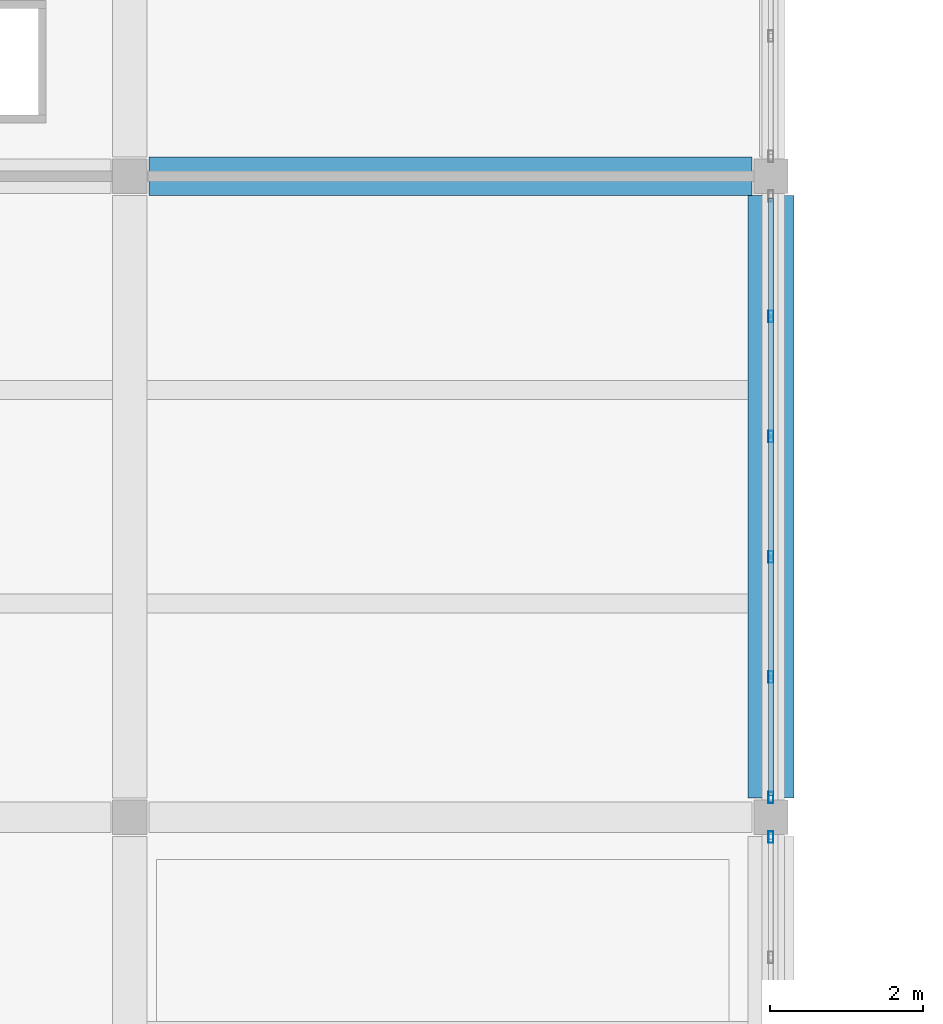
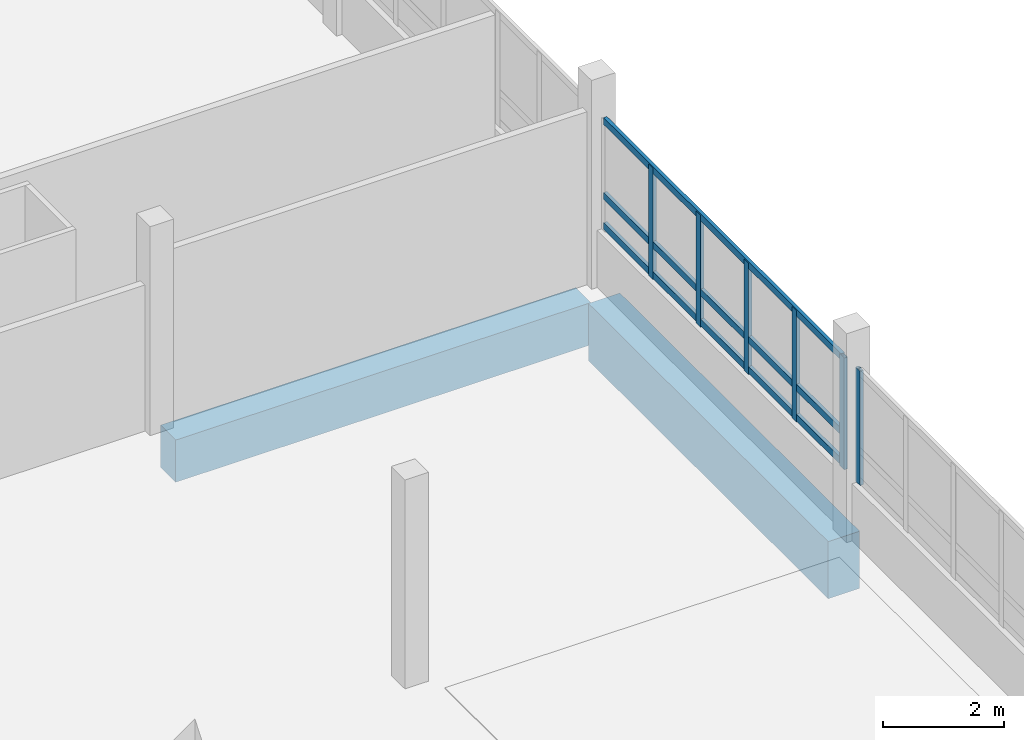
# One storey, part 8 of 62: 9 members, 2 beams, 2 elements without a shape of their own.
"""IFC4 building model written with IfcOpenShell, lengths in metres."""

import ifcopenshell
import ifcopenshell.guid

model = None  # the IFC model being written
_history = None  # IfcOwnerHistory: only IFC2X3 demands one
_inside = {}  # id of a spatial element -> (the spatial element, [elements in it])
_under = {}  # id of a project, library or spatial element -> (it, [spatial elements below it])
_declared = {}  # id of a project -> (the project, [libraries it declares])
_typed = {}  # id of a type object -> (the type object, [elements of that type])
_made_of = {}  # id of a material, layer set ... -> (it, [elements and type objects made of it])


def new_model(schema):
    """Start an empty IFC model of exactly this schema.

    Asked for "IFC4X3", IfcOpenShell would pick the latest addendum, in which some entities
    have other attributes; the version numbers below select the first issue.
    IFC2X3 requires an IfcOwnerHistory on every rooted entity: one is made here for all.
    """
    global model, _history
    if schema == "IFC4X3":
        model = ifcopenshell.file(schema_version=(4, 3, 0, 0))
    else:
        model = ifcopenshell.file(schema=schema)
    _inside.clear()
    _under.clear()
    _declared.clear()
    _typed.clear()
    _made_of.clear()
    _history = None
    if model.schema == "IFC2X3":
        org = make("IfcOrganization", Name="unknown")
        user = make(
            "IfcPersonAndOrganization",
            ThePerson=make("IfcPerson", FamilyName="unknown"),
            TheOrganization=org,
        )
        app = make(
            "IfcApplication",
            ApplicationDeveloper=org,
            Version="unknown",
            ApplicationFullName="unknown",
            ApplicationIdentifier="unknown",
        )
        _history = make(
            "IfcOwnerHistory",
            OwningUser=user,
            OwningApplication=app,
            ChangeAction="ADDED",
            CreationDate=0,
        )
    return model


def make(cls, **values):
    """One entity of the class cls with the attributes given. An attribute that is None is left unset."""
    return model.create_entity(
        cls, **{name: value for name, value in values.items() if value is not None}
    )


def rooted(cls, **values):
    """An entity with a GlobalId (a new one), such as an element, a storey or a relation."""
    return make(cls, GlobalId=ifcopenshell.guid.new(), OwnerHistory=_history, **values)


def si_unit(unit_type, name, prefix=None):
    """IfcSIUnit, for example si_unit("LENGTHUNIT", "METRE", prefix="MILLI")."""
    return make("IfcSIUnit", UnitType=unit_type, Prefix=prefix, Name=name)


def assignment(units):
    """IfcUnitAssignment: the units of a project."""
    return None if units is None else make("IfcUnitAssignment", Units=units)


def point(xyz):
    """IfcCartesianPoint."""
    return None if xyz is None else make("IfcCartesianPoint", Coordinates=xyz)


def direction(xyz):
    """IfcDirection."""
    return None if xyz is None else make("IfcDirection", DirectionRatios=xyz)


def frame(location, z_axis=None, x_axis=None):
    """IfcAxis2Placement3D, a coordinate frame: its origin and axes. An axis left out is left unset."""
    return make(
        "IfcAxis2Placement3D",
        Location=point(location),
        Axis=direction(z_axis),
        RefDirection=direction(x_axis),
    )


def frame_2d(location, x_axis=None):
    """IfcAxis2Placement2D, a coordinate frame in the plane: its origin and x axis."""
    return make(
        "IfcAxis2Placement2D", Location=point(location), RefDirection=direction(x_axis)
    )


def origin():
    """The frame at (0, 0, 0) with its axes left unset."""
    return frame((0.0, 0.0, 0.0))


def origin_2d():
    """The frame at (0, 0) in the plane with its x axis left unset."""
    return frame_2d((0.0, 0.0))


def place(relative_to, where):
    """IfcLocalPlacement: puts the frame where relative to a parent placement (None: the world)."""
    return make(
        "IfcLocalPlacement", PlacementRelTo=relative_to, RelativePlacement=where
    )


def context(
    kind, dimensions, precision=None, world=None, true_north=None, identifier=None
):
    """IfcGeometricRepresentationContext, for example the 3D "Model" context."""
    return make(
        "IfcGeometricRepresentationContext",
        ContextIdentifier=identifier,
        ContextType=kind,
        CoordinateSpaceDimension=dimensions,
        Precision=precision,
        WorldCoordinateSystem=world,
        TrueNorth=true_north,
    )


def subcontext(parent, identifier, kind, view, scale=None):
    """IfcGeometricRepresentationSubContext, for example "Body" below "Model"."""
    return make(
        "IfcGeometricRepresentationSubContext",
        ContextIdentifier=identifier,
        ContextType=kind,
        ParentContext=parent,
        TargetScale=scale,
        TargetView=view,
    )


def project(units=None, contexts=None):
    """IfcProject with its units and contexts."""
    return rooted(
        "IfcProject",
        Name="project",
        RepresentationContexts=contexts,
        UnitsInContext=assignment(units),
    )


def spatial(cls, under=None, at=None, **own):
    """A site, building, storey or space (cls), placed at a placement, below another one or the project."""
    s = rooted(cls, ObjectPlacement=at, **own)
    if under is not None:
        _under.setdefault(under.id(), (under, []))[1].append(s)
    return s


def profile(cls, at=None, kind="AREA", **sizes):
    """A parametric profile (cls). Its sizes go by their IFC names, for example OverallWidth=200.0."""
    return make(cls, ProfileType=kind, Position=at, **sizes)


def rectangle(**sizes):
    """IfcRectangleProfileDef."""
    return profile("IfcRectangleProfileDef", **sizes)


def hollow_rectangle(**sizes):
    """IfcRectangleHollowProfileDef."""
    return profile("IfcRectangleHollowProfileDef", **sizes)


def extrude(swept, where, along, depth):
    """IfcExtrudedAreaSolid: the profile swept, set in the frame where, extruded along a direction by depth."""
    return make(
        "IfcExtrudedAreaSolid",
        SweptArea=swept,
        Position=where,
        ExtrudedDirection=direction(along),
        Depth=depth,
    )


def shape(context_of_items, identifier, shape_type, items):
    """IfcShapeRepresentation: the items that make up one representation, for example the "Body"."""
    return make(
        "IfcShapeRepresentation",
        ContextOfItems=context_of_items,
        RepresentationIdentifier=identifier,
        RepresentationType=shape_type,
        Items=items,
    )


def material(Name=None, Category=None):
    """IfcMaterial."""
    return make("IfcMaterial", Name=Name, Category=Category)


def layer(
    of_material, thickness, ventilated=None, Name=None, Category=None, Priority=None
):
    """IfcMaterialLayer: one layer of a wall or slab, of a material (None: an air gap)."""
    return make(
        "IfcMaterialLayer",
        Material=of_material,
        LayerThickness=thickness,
        IsVentilated=ventilated,
        Name=Name,
        Category=Category,
        Priority=Priority,
    )


def layer_set(layers, Name=None):
    """IfcMaterialLayerSet."""
    return make("IfcMaterialLayerSet", MaterialLayers=layers, LayerSetName=Name)


def material_profile(
    of_material, cross_section, Name=None, Category=None, Priority=None
):
    """IfcMaterialProfile: a cross section and its material."""
    return make(
        "IfcMaterialProfile",
        Name=Name,
        Material=of_material,
        Profile=cross_section,
        Priority=Priority,
        Category=Category,
    )


def profile_set(profiles, Name=None, composite=None):
    """IfcMaterialProfileSet."""
    return make(
        "IfcMaterialProfileSet",
        Name=Name,
        MaterialProfiles=profiles,
        CompositeProfile=composite,
    )


def made_of(thing, what):
    """Note that an element or type object is made of a material, layer set ...; save() writes the relation."""
    if what is not None:
        _made_of.setdefault(what.id(), (what, []))[1].append(thing)
    return thing


def type_object(cls, material=None, **own):
    """A type object (cls), such as IfcWallType, which elements share."""
    return made_of(rooted(cls, **own), material)


def element(
    cls,
    number,
    at=None,
    inside=None,
    cuts=None,
    type_object=None,
    material=None,
    context=None,
    identifier="Body",
    shape_type=None,
    held_by="IfcProductDefinitionShape",
    body=None,
    shapes=None,
    **own,
):
    """One element of the class cls, such as IfcWall. Its Tag is "e" and its number.

    at: its placement. inside: the storey or other place that contains it. cuts: it is an
    opening in that element (IfcRelVoidsElement). A single representation is given by context,
    identifier, shape_type and body (its items); several are given by shapes. held_by: the class
    of the entity that holds the representations. save() writes the other relations.
    """
    e = rooted(cls, Tag="e%d" % number, ObjectPlacement=at, **own)
    if body is not None:
        shapes = [shape(context, identifier, shape_type, body)]
    if shapes is not None:
        e.Representation = make(held_by, Representations=shapes)
    if inside is not None:
        _inside.setdefault(inside.id(), (inside, []))[1].append(e)
    if cuts is not None:
        rooted(
            "IfcRelVoidsElement", RelatingBuildingElement=cuts, RelatedOpeningElement=e
        )
    if type_object is not None:
        _typed.setdefault(type_object.id(), (type_object, []))[1].append(e)
    return made_of(e, material)


def aggregate(whole, parts):
    """IfcRelAggregates: a whole, such as a stair, and the parts it consists of."""
    return rooted("IfcRelAggregates", RelatingObject=whole, RelatedObjects=parts)


def save(model, path):
    """Write the relations noted so far, then the file.

    IfcRelAggregates (storeys below a building ...), IfcRelContainedInSpatialStructure (elements
    in a storey), IfcRelDefinesByType, IfcRelAssociatesMaterial and IfcRelDeclares: one each for
    every whole, place, type object, material and project.
    """
    for whole, parts in _under.values():
        aggregate(whole, parts)
    for where, things in _inside.values():
        rooted(
            "IfcRelContainedInSpatialStructure",
            RelatedElements=things,
            RelatingStructure=where,
        )
    for kind, things in _typed.values():
        rooted("IfcRelDefinesByType", RelatedObjects=things, RelatingType=kind)
    for what, things in _made_of.values():
        rooted("IfcRelAssociatesMaterial", RelatedObjects=things, RelatingMaterial=what)
    for by, libraries in _declared.values():
        rooted("IfcRelDeclares", RelatingContext=by, RelatedDefinitions=libraries)
    model.write(path)


model = new_model("IFC4")

# Units and contexts
model_context = context("Model", 3, precision=1e-05, world=origin(), true_north=direction((0.0, 1.0)))
body_context = subcontext(model_context, "Body", "Model", "MODEL_VIEW")
ifc_project = project(units=[si_unit("LENGTHUNIT", "METRE"), si_unit("AREAUNIT", "SQUARE_METRE"), si_unit("VOLUMEUNIT", "CUBIC_METRE"), si_unit("PLANEANGLEUNIT", "RADIAN"), si_unit("MASSUNIT", "GRAM", prefix="KILO")], contexts=[model_context])

# Site, building, storey
site_placement = place(None, origin())
site = spatial("IfcSite", under=ifc_project, at=site_placement, CompositionType="ELEMENT")
building_placement = place(site_placement, origin())
building = spatial("IfcBuilding", under=site, at=building_placement, Name="Vireocrest Preparatory School", CompositionType="ELEMENT")
storey_placement = place(building_placement, frame((0.0, 0.0, 17.39990234375)))
storey = spatial("IfcBuildingStorey", under=building, at=storey_placement, Name="L04", CompositionType="ELEMENT", Elevation=17.39990234375)

# Curtain wall, member
ifc_material_1 = material(Name="Thermally broken aluminium EN AW-6063-T6", Category="aluminium")
ifc_layer = layer(ifc_material_1, 0.179931640625)
ifc_layer_set = layer_set([ifc_layer], Name="Thermally broken aluminium EN AW-6063-T6")
curtain_wall_type = type_object("IfcCurtainWallType", Name="Court Banded Curtain Wall 8400x3000", PredefinedType="USERDEFINED", material=ifc_layer_set)
curtain_wall_1_placement = place(storey_placement, origin())
curtain_wall_1 = element("IfcCurtainWall", 1, at=curtain_wall_1_placement, inside=storey, type_object=curtain_wall_type, Name="Curtain Wall CW02 CW_L04_CW02_0672_0440_186", ObjectType="CURTAIN WALL", PredefinedType="USERDEFINED")
ifc_material_profile_1 = material_profile(ifc_material_1, hollow_rectangle(XDim=0.06494140625, YDim=0.14990234375, WallThickness=0.00390625, at=origin_2d()), Name="ALU 65x150x4")
ifc_profile_set_1 = profile_set([ifc_material_profile_1], Name="Thermally broken aluminium EN AW-6063-T6")
member_type_1 = type_object("IfcMemberType", Name="CW Mullion 65x150x4", PredefinedType="MULLION", material=ifc_profile_set_1)
member_1_placement = place(storey_placement, frame((67.199951171875, 51.93994140625, 1.150146484375), z_axis=(0.0, 0.0, 1.0), x_axis=(1.0, 0.0, 0.0)))
member_1 = element("IfcMember", 2, at=member_1_placement, type_object=member_type_1, Name="CW Mullion ML1 CW_L04_CW02_0672_0440_186-6", PredefinedType="MULLION", context=body_context, shape_type="SweptSolid", body=[
    extrude(hollow_rectangle(XDim=0.06494140625, YDim=0.14990234375, WallThickness=0.00390625, at=origin_2d()), origin(), (0.0, 0.0, 1.0), 2.294921875),
])
aggregate(curtain_wall_1, [member_1])

# Curtain wall, members
curtain_wall_2_placement = place(storey_placement, origin())
curtain_wall_2 = element("IfcCurtainWall", 3, at=curtain_wall_2_placement, inside=storey, type_object=curtain_wall_type, Name="Curtain Wall CW02 CW_L04_CW02_0672_0524_186", ObjectType="CURTAIN WALL", PredefinedType="USERDEFINED")
member_2_placement = place(storey_placement, frame((67.199951171875, 52.4599609375, 1.150146484375), z_axis=(0.0, 0.0, 1.0), x_axis=(1.0, 0.0, 0.0)))
member_2 = element("IfcMember", 4, at=member_2_placement, type_object=member_type_1, Name="CW Mullion ML1 CW_L04_CW02_0672_0524_186-1", PredefinedType="MULLION", context=body_context, shape_type="SweptSolid", body=[
    extrude(hollow_rectangle(XDim=0.06494140625, YDim=0.14990234375, WallThickness=0.00390625, at=origin_2d()), origin(), (0.0, 0.0, 1.0), 2.244873046875),
])
member_3_placement = place(storey_placement, frame((67.199951171875, 54.035888671875, 1.150146484375), z_axis=(0.0, 0.0, 1.0), x_axis=(1.0, 0.0, 0.0)))
member_3 = element("IfcMember", 5, at=member_3_placement, type_object=member_type_1, Name="CW Mullion ML1 CW_L04_CW02_0672_0524_186-2", PredefinedType="MULLION", context=body_context, shape_type="SweptSolid", body=[
    extrude(hollow_rectangle(XDim=0.06494140625, YDim=0.14990234375, WallThickness=0.00390625, at=origin_2d()), origin(), (0.0, 0.0, 1.0), 2.244873046875),
])
member_4_placement = place(storey_placement, frame((67.199951171875, 55.612060546875, 1.150146484375), z_axis=(0.0, 0.0, 1.0), x_axis=(1.0, 0.0, 0.0)))
member_4 = element("IfcMember", 6, at=member_4_placement, type_object=member_type_1, Name="CW Mullion ML1 CW_L04_CW02_0672_0524_186-3", PredefinedType="MULLION", context=body_context, shape_type="SweptSolid", body=[
    extrude(hollow_rectangle(XDim=0.06494140625, YDim=0.14990234375, WallThickness=0.00390625, at=origin_2d()), origin(), (0.0, 0.0, 1.0), 2.244873046875),
])
member_5_placement = place(storey_placement, frame((67.199951171875, 57.18798828125, 1.150146484375), z_axis=(0.0, 0.0, 1.0), x_axis=(1.0, 0.0, 0.0)))
member_5 = element("IfcMember", 7, at=member_5_placement, type_object=member_type_1, Name="CW Mullion ML1 CW_L04_CW02_0672_0524_186-4", PredefinedType="MULLION", context=body_context, shape_type="SweptSolid", body=[
    extrude(hollow_rectangle(XDim=0.06494140625, YDim=0.14990234375, WallThickness=0.00390625, at=origin_2d()), origin(), (0.0, 0.0, 1.0), 2.244873046875),
])
member_6_placement = place(storey_placement, frame((67.199951171875, 58.763916015625, 1.150146484375), z_axis=(0.0, 0.0, 1.0), x_axis=(1.0, 0.0, 0.0)))
member_6 = element("IfcMember", 8, at=member_6_placement, type_object=member_type_1, Name="CW Mullion ML1 CW_L04_CW02_0672_0524_186-5", PredefinedType="MULLION", context=body_context, shape_type="SweptSolid", body=[
    extrude(hollow_rectangle(XDim=0.06494140625, YDim=0.14990234375, WallThickness=0.00390625, at=origin_2d()), origin(), (0.0, 0.0, 1.0), 2.244873046875),
])
ifc_material_profile_2 = material_profile(ifc_material_1, hollow_rectangle(XDim=0.06494140625, YDim=0.139892578125, WallThickness=0.00390625, at=origin_2d()), Name="ALU 65x140x4")
ifc_profile_set_2 = profile_set([ifc_material_profile_2], Name="Thermally broken aluminium EN AW-6063-T6")
member_type_2 = type_object("IfcMemberType", Name="CW Transom 65x140x4", PredefinedType="USERDEFINED", material=ifc_profile_set_2)
member_7_placement = place(storey_placement, frame((67.199951171875, 52.485107421875, 1.2451171875), z_axis=(0.0, 1.0, 0.0), x_axis=(-1.0, 0.0, 0.0)))
member_7 = element("IfcMember", 9, at=member_7_placement, type_object=member_type_2, Name="CW Transom TR1 CW_L04_CW02_0672_0524_186-1", ObjectType="TRANSOM", PredefinedType="USERDEFINED", context=body_context, shape_type="SweptSolid", body=[
    extrude(hollow_rectangle(XDim=0.06494140625, YDim=0.139892578125, WallThickness=0.00390625, at=origin_2d()), origin(), (0.0, 0.0, 1.0), 7.829833984375),
])
member_8_placement = place(storey_placement, frame((67.199951171875, 52.485107421875, 1.85009765625), z_axis=(0.0, 1.0, 0.0), x_axis=(-1.0, 0.0, 0.0)))
member_8 = element("IfcMember", 10, at=member_8_placement, type_object=member_type_2, Name="CW Transom TR1 CW_L04_CW02_0672_0524_186-2", ObjectType="TRANSOM", PredefinedType="USERDEFINED", context=body_context, shape_type="SweptSolid", body=[
    extrude(hollow_rectangle(XDim=0.06494140625, YDim=0.139892578125, WallThickness=0.00390625, at=origin_2d()), origin(), (0.0, 0.0, 1.0), 7.829833984375),
])
member_9_placement = place(storey_placement, frame((67.199951171875, 52.485107421875, 3.35498046875), z_axis=(0.0, 1.0, 0.0), x_axis=(-1.0, 0.0, 0.0)))
member_9 = element("IfcMember", 11, at=member_9_placement, type_object=member_type_2, Name="CW Transom TR1 CW_L04_CW02_0672_0524_186-3", ObjectType="TRANSOM", PredefinedType="USERDEFINED", context=body_context, shape_type="SweptSolid", body=[
    extrude(hollow_rectangle(XDim=0.06494140625, YDim=0.139892578125, WallThickness=0.00390625, at=origin_2d()), origin(), (0.0, 0.0, 1.0), 7.829833984375),
])
aggregate(curtain_wall_2, [member_2, member_3, member_4, member_5, member_6, member_7, member_8, member_9])

# Beams
ifc_material_2 = material(Name="Concrete 40 MPa", Category="concrete")
ifc_material_profile_3 = material_profile(ifc_material_2, rectangle(XDim=0.60009765625, YDim=1.14990234375, at=origin_2d()), Name="RC 600x1150")
ifc_profile_set_3 = profile_set([ifc_material_profile_3], Name="Concrete 40 MPa")
beam_type_1 = type_object("IfcBeamType", Name="RC Heavy Transfer Girder 600x1150", PredefinedType="BEAM", material=ifc_profile_set_3)
beam_1_placement = place(storey_placement, frame((67.199951171875, 52.449951171875, -0.81494140625), z_axis=(0.0, 1.0, 0.0), x_axis=(-1.0, 0.0, 0.0)))
element("IfcBeam", 12, at=beam_1_placement, inside=storey, type_object=beam_type_1, Name="Primary Girder B20 L04-1381", PredefinedType="BEAM", context=body_context, shape_type="SweptSolid", body=[
    extrude(rectangle(XDim=0.60009765625, YDim=1.14990234375, at=origin_2d()), origin(), (0.0, 0.0, 1.0), 7.900146484375),
])
ifc_material_profile_4 = material_profile(ifc_material_2, rectangle(XDim=0.5, YDim=0.85009765625, at=origin_2d()), Name="RC 500x850")
ifc_profile_set_4 = profile_set([ifc_material_profile_4], Name="Concrete 40 MPa")
beam_type_2 = type_object("IfcBeamType", Name="RC Podium Girder 500x850", PredefinedType="BEAM", material=ifc_profile_set_4)
beam_2_placement = place(storey_placement, frame((59.050048828125, 60.60009765625, -0.664794921875), z_axis=(1.0, 0.0, 0.0), x_axis=(0.0, 1.0, 0.0)))
element("IfcBeam", 13, at=beam_2_placement, inside=storey, type_object=beam_type_2, Name="Primary Girder B14 L04-1308", PredefinedType="BEAM", context=body_context, shape_type="SweptSolid", body=[
    extrude(rectangle(XDim=0.5, YDim=0.85009765625, at=origin_2d()), origin(), (0.0, 0.0, 1.0), 7.89990234375),
])

save(model, "model.ifc")
